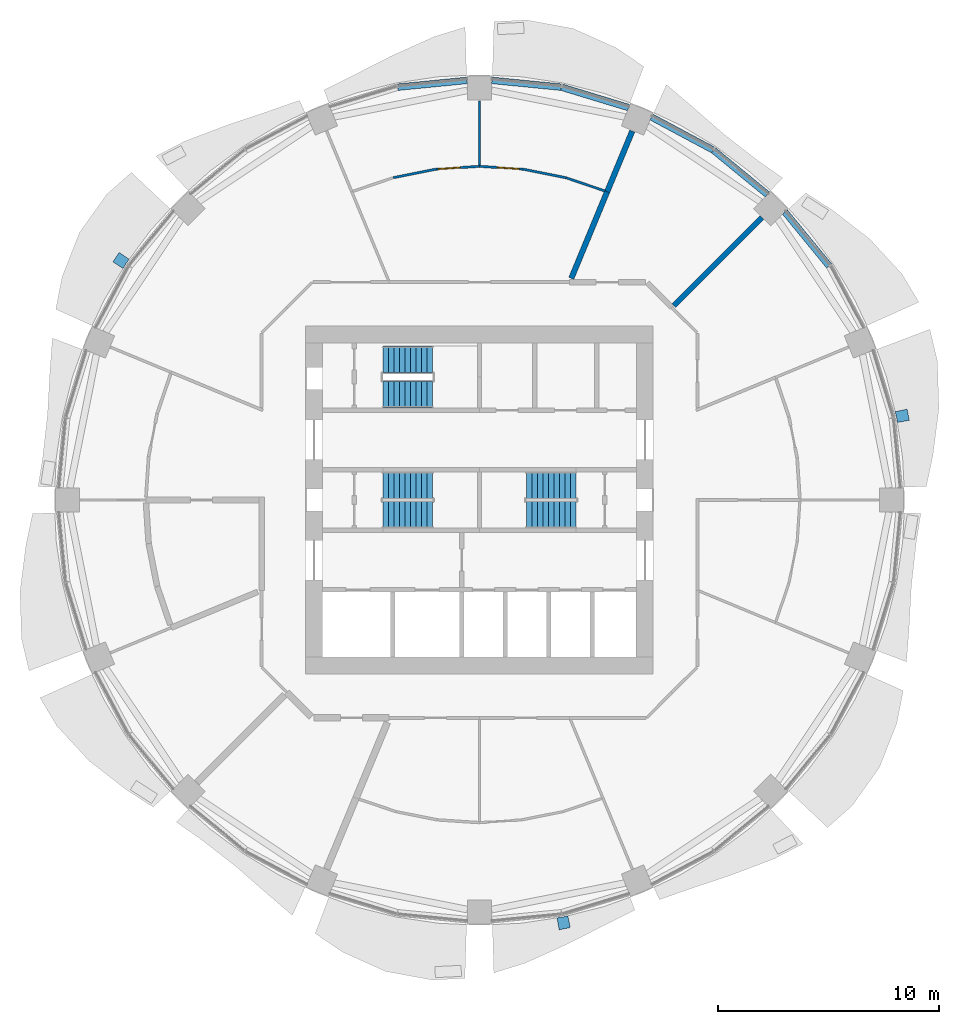
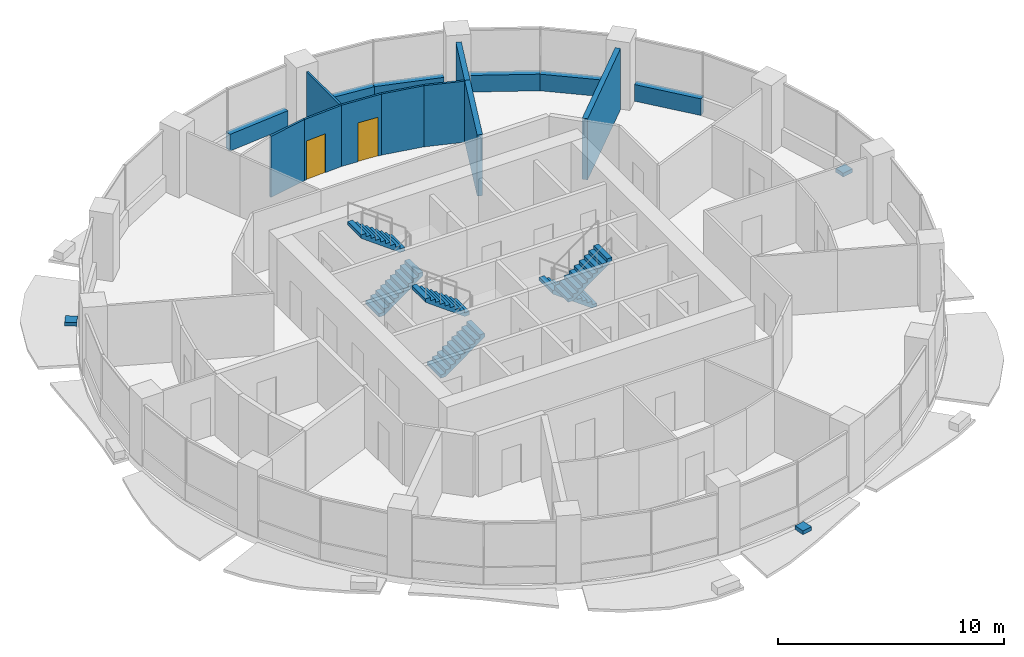
# One storey, part 10 of 14: 15 walls, 6 stair flights, 3 discrete accessories, 2 doors, 2 openings, 3 elements without a shape of their own.
"""IFC4 building model written with IfcOpenShell, lengths in metres."""

from ifc_helpers import new_model, si_unit, direction, frame, frame_2d, origin, place, context, subcontext, project, spatial, polyline, rectangle, outline, extrude, material, layer, layer_set, type_object, element, fill, aggregate, save


model = new_model("IFC4")

# Units and contexts
model_context = context("Model", 3, precision=1e-05, world=origin(), true_north=direction((0.0, 1.0)))
body_context = subcontext(model_context, "Body", "Model", "MODEL_VIEW")
ifc_project = project(units=[si_unit("LENGTHUNIT", "METRE"), si_unit("AREAUNIT", "SQUARE_METRE"), si_unit("VOLUMEUNIT", "CUBIC_METRE"), si_unit("PLANEANGLEUNIT", "RADIAN"), si_unit("MASSUNIT", "GRAM", prefix="KILO")], contexts=[model_context])

# Site, building, storey
site_placement = place(None, origin())
site = spatial("IfcSite", under=ifc_project, at=site_placement, CompositionType="ELEMENT")
building_placement = place(site_placement, origin())
building = spatial("IfcBuilding", under=site, at=building_placement, Name="Polderwave Tower", CompositionType="ELEMENT")
storey_placement = place(building_placement, frame((0.0, 0.0, 98.300048828125)))
storey = spatial("IfcBuildingStorey", under=building, at=storey_placement, Name="L25", CompositionType="ELEMENT", Elevation=98.300048828125)

# Walls
ifc_material_1 = material(Name="Concrete C50/60 (board-marked)", Category="concrete")
ifc_layer_1 = layer(ifc_material_1, 0.300048828125)
ifc_layer_set_1 = layer_set([ifc_layer_1], Name="Concrete spandrel upstand C50/60")
wall_type_1 = type_object("IfcWallType", Name="Concrete spandrel upstand C50/60", PredefinedType="SOLIDWALL", material=ifc_layer_set_1)
for number, where, z_axis, x_axis, name in (
    (1, (15.846435546875, 10.606689453125, 0.0), (0.0, 0.0, 1.0), (-0.63437822698, 0.773022810229, 0.0), "Spandrel L25 2b"),
    (2, (13.04736328125, 13.843505859375, 0.0), (0.0, 0.0, 1.0), (-0.773022810229, 0.63437822698, 0.0), "Spandrel L25 3a"),
    (3, (10.581787109375, 15.863037109375, 0.0), (0.0, 0.0, 1.0), (-0.882005928597, 0.471238306932, 0.0), "Spandrel L25 3b"),
):
    element("IfcWall", number, at=place(storey_placement, frame(where, z_axis=z_axis, x_axis=x_axis)), inside=storey, type_object=wall_type_1, Name=name, PredefinedType="SOLIDWALL", context=body_context, shape_type="SweptSolid", body=[
        extrude(rectangle(XDim=3.1572265625, YDim=0.300048828125, at=frame_2d((1.57861328125, 0.0))), origin(), (0.0, 0.0, 1.0), 0.89990234375),
    ])
wall_1_placement = place(storey_placement, frame((6.755615234375, 17.782470703125, 0.0), z_axis=(0.0, 0.0, 1.0), x_axis=(-0.956874051907, 0.290503096001, 0.0)))
element("IfcWall", 4, at=wall_1_placement, inside=storey, type_object=wall_type_1, Name="Spandrel L25 4a", PredefinedType="SOLIDWALL", context=body_context, shape_type="SweptSolid", body=[
    extrude(rectangle(XDim=3.157470703125, YDim=0.300048828125, at=frame_2d((1.57861328125, 0.0))), origin(), (0.0, 0.0, 1.0), 0.89990234375),
])
for number, where, z_axis, x_axis, name in (
    (5, (3.705078125, 18.70556640625, 0.0), (0.0, 0.0, 1.0), (-0.995201239587, 0.097849336863, 0.0), "Spandrel L25 4b"),
    (6, (-0.56396484375, 19.014404296875, 0.0), (0.0, 0.0, 1.0), (-0.995201239587, -0.097849336863, 0.0), "Spandrel L25 5a"),
):
    element("IfcWall", number, at=place(storey_placement, frame(where, z_axis=z_axis, x_axis=x_axis)), inside=storey, type_object=wall_type_1, Name=name, PredefinedType="SOLIDWALL", context=body_context, shape_type="SweptSolid", body=[
        extrude(rectangle(XDim=3.15625, YDim=0.300048828125, at=frame_2d((1.578125, 0.0))), origin(), (0.0, 0.0, 1.0), 0.89990234375),
    ])
ifc_material_2 = material(Name="Plasterboard on steel studs", Category="steel")
ifc_layer_2 = layer(ifc_material_2, 0.10009765625)
ifc_layer_set_2 = layer_set([ifc_layer_2], Name="Partition 100 mm plasterboard on steel studs")
wall_type_2 = type_object("IfcWallType", Name="Partition 100 mm plasterboard on steel studs", PredefinedType="PARTITIONING", material=ifc_layer_set_2)
wall_2_placement = place(storey_placement, frame((0.0, 15.17578125, 0.0), z_axis=(0.0, 0.0, 1.0), x_axis=(0.0, 1.0, 0.0)))
element("IfcWall", 7, at=wall_2_placement, inside=storey, type_object=wall_type_2, Name="IN-L25-W035", PredefinedType="PARTITIONING", context=body_context, shape_type="SweptSolid", body=[
    extrude(rectangle(XDim=2.914306640625, YDim=0.10009765625, at=frame_2d((1.45703125, 0.0))), origin(), (0.0, 0.0, 1.0), 3.300048828125),
])

# Wall, opening, door
ifc_material_3 = material(Name="Moisture-resistant board on steel studs, tiled", Category="steel")
ifc_layer_3 = layer(ifc_material_3, 0.10498046875)
ifc_layer_set_3 = layer_set([ifc_layer_3], Name="Partition 105 mm wet room board and tile")
wall_type_3 = type_object("IfcWallType", Name="Partition 105 mm wet room board and tile", PredefinedType="PARTITIONING", material=ifc_layer_set_3)
wall_3_placement = place(storey_placement, frame((0.0, 15.1201171875, 0.0), z_axis=(0.0, 0.0, 1.0), x_axis=(0.997850326374, -0.06553416022, 0.0)))
wall_3 = element("IfcWall", 8, at=wall_3_placement, inside=storey, type_object=wall_type_3, Name="IN-L25-W032", PredefinedType="PARTITIONING", context=body_context, shape_type="SweptSolid", body=[
    extrude(rectangle(XDim=1.974365234375, YDim=0.10498046875, at=frame_2d((0.9873046875, 0.0))), origin(), (0.0, 0.0, 1.0), 3.300048828125),
])
opening_1_placement = place(wall_3_placement, frame((0.800048828125, 0.0, 0.0)))
opening_1 = element("IfcOpeningElement", 9, at=opening_1_placement, cuts=wall_3, Name="Opening L25-D61", PredefinedType="OPENING", context=body_context, shape_type="SweptSolid", body=[
    extrude(rectangle(XDim=1.0, YDim=2.10009765625, at=frame_2d((0.5, 1.050048828125))), frame((0.0, 0.0625, 0.0), z_axis=(0.0, -1.0, 0.0), x_axis=(1.0, 0.0, 0.0)), (0.0, 0.0, 1.0), 0.125),
])
ifc_material_4 = material(Name="Timber veneer door leaf", Category="wood")
door_type = type_object("IfcDoorType", Name="Single door 1000 x 2100", OperationType="NOTDEFINED", PredefinedType="DOOR", material=ifc_material_4)
door_1_placement = place(opening_1_placement, origin())
door_1 = element("IfcDoor", 10, at=door_1_placement, inside=storey, type_object=door_type, Name="Door L25-D61", OperationType="SINGLE_SWING_RIGHT", OverallHeight=2.10009765625, OverallWidth=1.0, PredefinedType="DOOR", context=body_context, shape_type="SweptSolid", body=[
    extrude(rectangle(XDim=1.0, YDim=2.10009765625, at=frame_2d((0.5, 1.050048828125))), frame((0.0, 0.02490234375, 0.0), z_axis=(0.0, -1.0, 0.0), x_axis=(1.0, 0.0, 0.0)), (0.0, 0.0, 1.0), 0.050048828125),
])
fill(opening_1, door_1)

# Walls
wall_4_placement = place(storey_placement, frame((3.909912109375, 14.60546875, 0.0), z_axis=(0.0, 0.0, 1.0), x_axis=(-0.980780283586, 0.195115441032, 0.0)))
element("IfcWall", 11, at=wall_4_placement, inside=storey, type_object=wall_type_3, Name="IN-L25-W033", PredefinedType="PARTITIONING", context=body_context, shape_type="SweptSolid", body=[
    extrude(rectangle(XDim=1.970703125, YDim=0.10498046875, at=frame_2d((0.9853515625, 0.0))), origin(), (0.0, 0.0, 1.0), 3.300048828125),
])
wall_5_placement = place(storey_placement, frame((5.664306640625, 14.010498046875, 0.0), z_axis=(0.0, 0.0, 1.0), x_axis=(-0.946936290846, 0.321421313976, 0.0)))
element("IfcWall", 12, at=wall_5_placement, inside=storey, type_object=wall_type_3, Name="IN-L25-W034", PredefinedType="PARTITIONING", context=body_context, shape_type="SweptSolid", body=[
    extrude(rectangle(XDim=1.845703125, YDim=0.10498046875, at=frame_2d((0.9228515625, 0.0))), origin(), (0.0, 0.0, 1.0), 3.300048828125),
])
wall_6_placement = place(storey_placement, frame((-3.909912109375, 14.60546875, 0.0), z_axis=(0.0, 0.0, 1.0), x_axis=(0.980780283586, 0.195115441032, 0.0)))
element("IfcWall", 13, at=wall_6_placement, inside=storey, type_object=wall_type_3, Name="IN-L25-W037", PredefinedType="PARTITIONING", context=body_context, shape_type="SweptSolid", body=[
    extrude(rectangle(XDim=1.970703125, YDim=0.10498046875, at=frame_2d((0.9853515625, 0.0))), origin(), (0.0, 0.0, 1.0), 3.300048828125),
])

# Wall, opening, door
wall_7_placement = place(storey_placement, frame((-1.97021484375, 14.99072265625, 0.0), z_axis=(0.0, 0.0, 1.0), x_axis=(0.997850326374, 0.06553416022, 0.0)))
wall_7 = element("IfcWall", 14, at=wall_7_placement, inside=storey, type_object=wall_type_3, Name="IN-L25-W038", PredefinedType="PARTITIONING", context=body_context, shape_type="SweptSolid", body=[
    extrude(rectangle(XDim=1.974365234375, YDim=0.10498046875, at=frame_2d((0.9873046875, 0.0))), origin(), (0.0, 0.0, 1.0), 3.300048828125),
])
opening_2_placement = place(wall_7_placement, frame((0.10009765625, 0.0, 0.0)))
opening_2 = element("IfcOpeningElement", 15, at=opening_2_placement, cuts=wall_7, Name="Opening L25-D62", PredefinedType="OPENING", context=body_context, shape_type="SweptSolid", body=[
    extrude(rectangle(XDim=1.0, YDim=2.10009765625, at=frame_2d((0.5, 1.050048828125))), frame((0.0, 0.0625, 0.0), z_axis=(0.0, -1.0, 0.0), x_axis=(1.0, 0.0, 0.0)), (0.0, 0.0, 1.0), 0.125),
])
door_2_placement = place(opening_2_placement, origin())
door_2 = element("IfcDoor", 16, at=door_2_placement, inside=storey, type_object=door_type, Name="Door L25-D62", OperationType="SINGLE_SWING_LEFT", OverallHeight=2.10009765625, OverallWidth=1.0, PredefinedType="DOOR", context=body_context, shape_type="SweptSolid", body=[
    extrude(rectangle(XDim=1.0, YDim=2.10009765625, at=frame_2d((0.5, 1.050048828125))), frame((0.0, 0.02490234375, 0.0), z_axis=(0.0, -1.0, 0.0), x_axis=(1.0, 0.0, 0.0)), (0.0, 0.0, 1.0), 0.050048828125),
])
fill(opening_2, door_2)

# Walls
ifc_material_5 = material(Name="Fire-resisting board on steel studs, mineral wool", Category="steel")
ifc_layer_4 = layer(ifc_material_5, 0.25)
ifc_layer_set_4 = layer_set([ifc_layer_4], Name="Plant room wall 250 mm EI 120")
wall_type_4 = type_object("IfcWallType", Name="Plant room wall 250 mm EI 120", PredefinedType="PARTITIONING", material=ifc_layer_set_4)
wall_8_placement = place(storey_placement, frame((12.79150390625, 12.79150390625, 0.0), z_axis=(0.0, 0.0, 1.0), x_axis=(-0.707106781187, -0.707106781187, 0.0)))
element("IfcWall", 17, at=wall_8_placement, inside=storey, type_object=wall_type_4, Name="IN-L25-W029", PredefinedType="PARTITIONING", context=body_context, shape_type="SweptSolid", body=[
    extrude(rectangle(XDim=5.629638671875, YDim=0.25, at=frame_2d((2.81494140625, 0.0))), origin(), (0.0, 0.0, 1.0), 3.300048828125),
])
wall_9_placement = place(storey_placement, frame((5.7861328125, 13.968994140625, 0.0), z_axis=(0.0, 0.0, 1.0), x_axis=(0.382659139036, 0.923889594764, 0.0)))
element("IfcWall", 18, at=wall_9_placement, inside=storey, type_object=wall_type_4, Name="IN-L25-W030", PredefinedType="PARTITIONING", context=body_context, shape_type="SweptSolid", body=[
    extrude(rectangle(XDim=2.969970703125, YDim=0.25, at=frame_2d((1.48486328125, 0.0))), origin(), (0.0, 0.0, 1.0), 3.300048828125),
])
wall_10_placement = place(storey_placement, frame((4.16162109375, 10.046875, 0.0), z_axis=(0.0, 0.0, 1.0), x_axis=(0.382666699469, 0.923886463326, 0.0)))
element("IfcWall", 19, at=wall_10_placement, inside=storey, type_object=wall_type_4, Name="IN-L25-W031", PredefinedType="PARTITIONING", context=body_context, shape_type="SweptSolid", body=[
    extrude(rectangle(XDim=4.245361328125, YDim=0.25, at=frame_2d((2.12255859375, 0.0))), origin(), (0.0, 0.0, 1.0), 3.300048828125),
])

# Stair, stair flights
ifc_material_6 = material(Name="Concrete C40/50", Category="concrete")
stair_type = type_object("IfcStairType", Name="Exit stair 1200 x 20 risers", PredefinedType="HALF_TURN_STAIR", material=ifc_material_6)
stair_1_placement = place(storey_placement, origin())
stair_1 = element("IfcStair", 20, at=stair_1_placement, inside=storey, type_object=stair_type, Name="L25 Exit stair A", PredefinedType="HALF_TURN_STAIR")
stair_flight_type = type_object("IfcStairFlightType", Name="Stair flight 1200", PredefinedType="STRAIGHT", material=ifc_material_6)
stair_flight_1_placement = place(storey_placement, frame((-4.3740234375, -0.675048828125, 0.0), z_axis=(0.0, 0.0, 1.0), x_axis=(1.0, 0.0, 0.0)))
stair_flight_1 = element("IfcStairFlight", 21, at=stair_flight_1_placement, type_object=stair_flight_type, Name="ST-A flight 1", NumberOfRisers=10, NumberOfTreads=9, PredefinedType="STRAIGHT", RiserHeight=0.1825, TreadLength=0.25, context=body_context, shape_type="SweptSolid", body=[
    extrude(outline(polyline([(0.0, 0.0), (0.0, 0.1826171875), (0.25, 0.1826171875), (0.25, 0.364990234375), (0.5, 0.364990234375), (0.5, 0.547607421875), (0.75, 0.547607421875), (0.75, 0.72998046875), (1.0, 0.72998046875), (1.0, 0.91259765625), (1.25, 0.91259765625), (1.25, 1.094970703125), (1.5, 1.094970703125), (1.5, 1.277587890625), (1.75, 1.277587890625), (1.75, 1.4599609375), (2.0, 1.4599609375), (2.0, 1.642578125), (2.25, 1.642578125), (2.25, 1.824951171875), (2.25, 1.456787109375), (0.254150390625, 0.0), (0.0, 0.0)])), frame((0.0, 0.60009765625, 0.0), z_axis=(0.0, -1.0, 0.0), x_axis=(1.0, 0.0, 0.0)), (0.0, 0.0, 1.0), 1.199951171875),
])
stair_flight_2_placement = place(storey_placement, frame((-2.1240234375, 0.675048828125, 1.824951171875), z_axis=(0.0, 0.0, 1.0), x_axis=(-1.0, 0.0, 0.0)))
stair_flight_2 = element("IfcStairFlight", 22, at=stair_flight_2_placement, type_object=stair_flight_type, Name="ST-A flight 2", NumberOfRisers=10, NumberOfTreads=9, PredefinedType="STRAIGHT", RiserHeight=0.1825, TreadLength=0.25, context=body_context, shape_type="SweptSolid", body=[
    extrude(outline(polyline([(0.0, 0.0), (0.0, 0.1826171875), (0.25, 0.1826171875), (0.25, 0.364990234375), (0.5, 0.364990234375), (0.5, 0.547607421875), (0.75, 0.547607421875), (0.75, 0.72998046875), (1.0, 0.72998046875), (1.0, 0.91259765625), (1.25, 0.91259765625), (1.25, 1.094970703125), (1.5, 1.094970703125), (1.5, 1.277587890625), (1.75, 1.277587890625), (1.75, 1.4599609375), (2.0, 1.4599609375), (2.0, 1.642578125), (2.25, 1.642578125), (2.25, 1.824951171875), (2.25, 1.456787109375), (0.254150390625, 0.0), (0.0, 0.0)])), frame((0.0, 0.60009765625, 0.0), z_axis=(0.0, -1.0, 0.0), x_axis=(1.0, 0.0, 0.0)), (0.0, 0.0, 1.0), 1.199951171875),
])
aggregate(stair_1, [stair_flight_1, stair_flight_2])

stair_2_placement = place(storey_placement, origin())
stair_2 = element("IfcStair", 23, at=stair_2_placement, inside=storey, type_object=stair_type, Name="L25 Exit stair B", PredefinedType="HALF_TURN_STAIR")
stair_flight_3_placement = place(storey_placement, frame((4.3740234375, 0.675048828125, 0.0), z_axis=(0.0, 0.0, 1.0), x_axis=(-1.0, 0.0, 0.0)))
stair_flight_3 = element("IfcStairFlight", 24, at=stair_flight_3_placement, type_object=stair_flight_type, Name="ST-B flight 1", NumberOfRisers=10, NumberOfTreads=9, PredefinedType="STRAIGHT", RiserHeight=0.1825, TreadLength=0.25, context=body_context, shape_type="SweptSolid", body=[
    extrude(outline(polyline([(0.0, 0.0), (0.0, 0.1826171875), (0.25, 0.1826171875), (0.25, 0.364990234375), (0.5, 0.364990234375), (0.5, 0.547607421875), (0.75, 0.547607421875), (0.75, 0.72998046875), (1.0, 0.72998046875), (1.0, 0.91259765625), (1.25, 0.91259765625), (1.25, 1.094970703125), (1.5, 1.094970703125), (1.5, 1.277587890625), (1.75, 1.277587890625), (1.75, 1.4599609375), (2.0, 1.4599609375), (2.0, 1.642578125), (2.25, 1.642578125), (2.25, 1.824951171875), (2.25, 1.456787109375), (0.254150390625, 0.0), (0.0, 0.0)])), frame((0.0, 0.60009765625, 0.0), z_axis=(0.0, -1.0, 0.0), x_axis=(1.0, 0.0, 0.0)), (0.0, 0.0, 1.0), 1.199951171875),
])
stair_flight_4_placement = place(storey_placement, frame((2.1240234375, -0.675048828125, 1.824951171875), z_axis=(0.0, 0.0, 1.0), x_axis=(1.0, 0.0, 0.0)))
stair_flight_4 = element("IfcStairFlight", 25, at=stair_flight_4_placement, type_object=stair_flight_type, Name="ST-B flight 2", NumberOfRisers=10, NumberOfTreads=9, PredefinedType="STRAIGHT", RiserHeight=0.1825, TreadLength=0.25, context=body_context, shape_type="SweptSolid", body=[
    extrude(outline(polyline([(0.0, 0.0), (0.0, 0.1826171875), (0.25, 0.1826171875), (0.25, 0.364990234375), (0.5, 0.364990234375), (0.5, 0.547607421875), (0.75, 0.547607421875), (0.75, 0.72998046875), (1.0, 0.72998046875), (1.0, 0.91259765625), (1.25, 0.91259765625), (1.25, 1.094970703125), (1.5, 1.094970703125), (1.5, 1.277587890625), (1.75, 1.277587890625), (1.75, 1.4599609375), (2.0, 1.4599609375), (2.0, 1.642578125), (2.25, 1.642578125), (2.25, 1.824951171875), (2.25, 1.456787109375), (0.254150390625, 0.0), (0.0, 0.0)])), frame((0.0, 0.60009765625, 0.0), z_axis=(0.0, -1.0, 0.0), x_axis=(1.0, 0.0, 0.0)), (0.0, 0.0, 1.0), 1.199951171875),
])
aggregate(stair_2, [stair_flight_3, stair_flight_4])

stair_3_placement = place(storey_placement, origin())
stair_3 = element("IfcStair", 26, at=stair_3_placement, inside=storey, type_object=stair_type, Name="L25 Exit stair C", PredefinedType="HALF_TURN_STAIR")
stair_flight_5_placement = place(storey_placement, frame((-4.3740234375, 4.77392578125, 0.0), z_axis=(0.0, 0.0, 1.0), x_axis=(1.0, 0.0, 0.0)))
stair_flight_5 = element("IfcStairFlight", 27, at=stair_flight_5_placement, type_object=stair_flight_type, Name="ST-C flight 1", NumberOfRisers=10, NumberOfTreads=9, PredefinedType="STRAIGHT", RiserHeight=0.1825, TreadLength=0.25, context=body_context, shape_type="SweptSolid", body=[
    extrude(outline(polyline([(0.0, 0.0), (0.0, 0.1826171875), (0.25, 0.1826171875), (0.25, 0.364990234375), (0.5, 0.364990234375), (0.5, 0.547607421875), (0.75, 0.547607421875), (0.75, 0.72998046875), (1.0, 0.72998046875), (1.0, 0.91259765625), (1.25, 0.91259765625), (1.25, 1.094970703125), (1.5, 1.094970703125), (1.5, 1.277587890625), (1.75, 1.277587890625), (1.75, 1.4599609375), (2.0, 1.4599609375), (2.0, 1.642578125), (2.25, 1.642578125), (2.25, 1.824951171875), (2.25, 1.456787109375), (0.254150390625, 0.0), (0.0, 0.0)])), frame((0.0, 0.60009765625, 0.0), z_axis=(0.0, -1.0, 0.0), x_axis=(1.0, 0.0, 0.0)), (0.0, 0.0, 1.0), 1.199951171875),
])
stair_flight_6_placement = place(storey_placement, frame((-2.1240234375, 6.3740234375, 1.824951171875), z_axis=(0.0, 0.0, 1.0), x_axis=(-1.0, 0.0, 0.0)))
stair_flight_6 = element("IfcStairFlight", 28, at=stair_flight_6_placement, type_object=stair_flight_type, Name="ST-C flight 2", NumberOfRisers=10, NumberOfTreads=9, PredefinedType="STRAIGHT", RiserHeight=0.1825, TreadLength=0.25, context=body_context, shape_type="SweptSolid", body=[
    extrude(outline(polyline([(0.0, 0.0), (0.0, 0.1826171875), (0.25, 0.1826171875), (0.25, 0.364990234375), (0.5, 0.364990234375), (0.5, 0.547607421875), (0.75, 0.547607421875), (0.75, 0.72998046875), (1.0, 0.72998046875), (1.0, 0.91259765625), (1.25, 0.91259765625), (1.25, 1.094970703125), (1.5, 1.094970703125), (1.5, 1.277587890625), (1.75, 1.277587890625), (1.75, 1.4599609375), (2.0, 1.4599609375), (2.0, 1.642578125), (2.25, 1.642578125), (2.25, 1.824951171875), (2.25, 1.456787109375), (0.254150390625, 0.0), (0.0, 0.0)])), frame((0.0, 0.60009765625, 0.0), z_axis=(0.0, -1.0, 0.0), x_axis=(1.0, 0.0, 0.0)), (0.0, 0.0, 1.0), 1.199951171875),
])
aggregate(stair_3, [stair_flight_5, stair_flight_6])

# Discrete accessories
ifc_material_7 = material(Name="Steel S355", Category="steel")
discrete_accessory_type = type_object("IfcDiscreteAccessoryType", Name="Band bracket pad", PredefinedType="BRACKET", material=ifc_material_7)
discrete_accessory_1_placement = place(storey_placement, frame((0.0, 0.0, -0.199951171875)))
element("IfcDiscreteAccessory", 29, at=discrete_accessory_1_placement, inside=storey, type_object=discrete_accessory_type, Name="Band bracket L25 1", PredefinedType="BRACKET", context=body_context, shape_type="SweptSolid", body=[
    extrude(outline(polyline([(18.936279296875, 3.51220703125), (18.899658203125, 3.759521484375), (18.839111328125, 4.001953125), (19.376953125, 4.1162109375), (19.477294921875, 3.6123046875), (18.936279296875, 3.51220703125)])), origin(), (0.0, 0.0, 1.0), 0.199951171875),
])
discrete_accessory_2_placement = place(storey_placement, frame((0.0, 0.0, -0.199951171875)))
element("IfcDiscreteAccessory", 30, at=discrete_accessory_2_placement, inside=storey, type_object=discrete_accessory_type, Name="Band bracket L25 7", PredefinedType="BRACKET", context=body_context, shape_type="SweptSolid", body=[
    extrude(outline(polyline([(-15.87353515625, 10.906494140625), (-16.0224609375, 10.705810546875), (-16.15087890625, 10.491455078125), (-16.6123046875, 10.791015625), (-16.326904296875, 11.218017578125), (-15.87353515625, 10.906494140625)])), origin(), (0.0, 0.0, 1.0), 0.199951171875),
])
discrete_accessory_3_placement = place(storey_placement, frame((0.0, 0.0, -0.199951171875)))
element("IfcDiscreteAccessory", 31, at=discrete_accessory_3_placement, inside=storey, type_object=discrete_accessory_type, Name="Band bracket L25 13", PredefinedType="BRACKET", context=body_context, shape_type="SweptSolid", body=[
    extrude(outline(polyline([(3.51220703125, -18.936279296875), (3.759521484375, -18.899658203125), (4.001953125, -18.839111328125), (4.1162109375, -19.376953125), (3.6123046875, -19.477294921875), (3.51220703125, -18.936279296875)])), origin(), (0.0, 0.0, 1.0), 0.199951171875),
])

save(model, "model.ifc")
